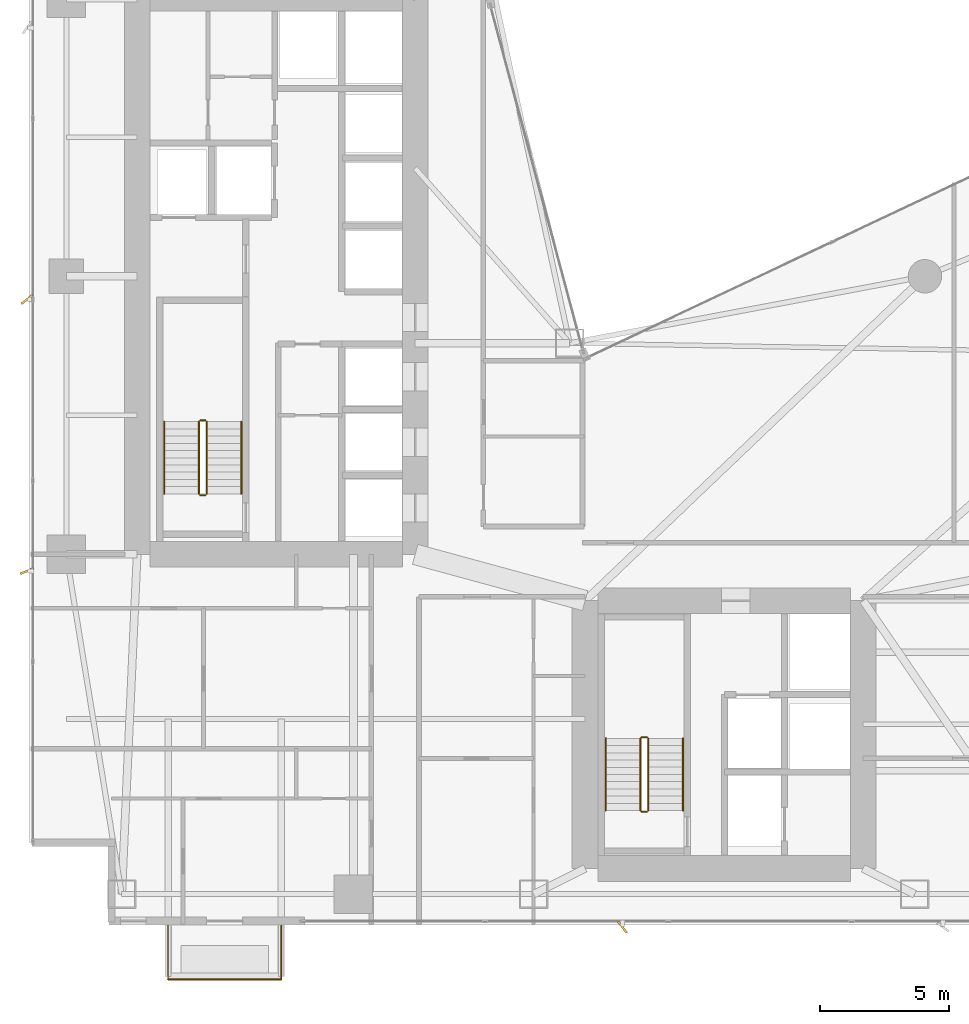
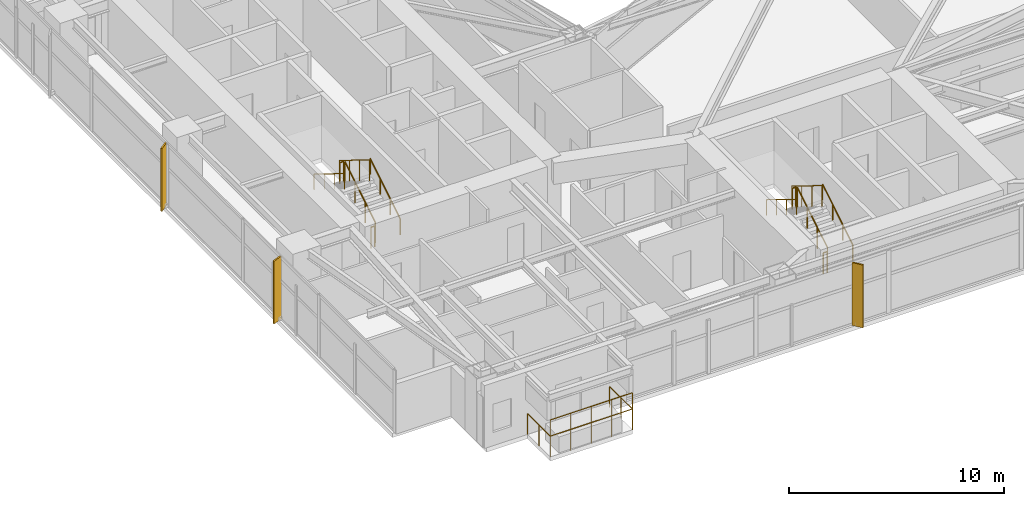
# One storey, part 28 of 29: 14 railings, 3 shading devices.
"""IFC4 building model written with IfcOpenShell, lengths in metres."""

from ifc_helpers import new_model, si_unit, direction, frame, origin, origin_2d, place, context, subcontext, project, spatial, rectangle, circle, extrude, material, type_object, element, save


model = new_model("IFC4")

# Units and contexts
model_context = context("Model", 3, precision=1e-05, world=origin(), true_north=direction((0.0, 1.0)))
body_context = subcontext(model_context, "Body", "Model", "MODEL_VIEW")
ifc_project = project(units=[si_unit("LENGTHUNIT", "METRE"), si_unit("AREAUNIT", "SQUARE_METRE"), si_unit("VOLUMEUNIT", "CUBIC_METRE"), si_unit("PLANEANGLEUNIT", "RADIAN"), si_unit("MASSUNIT", "GRAM", prefix="KILO")], contexts=[model_context])

# Site, building, storey
site_placement = place(None, origin())
site = spatial("IfcSite", under=ifc_project, at=site_placement, CompositionType="ELEMENT")
building_placement = place(site_placement, origin())
building = spatial("IfcBuilding", under=site, at=building_placement, Name="Calvorn Quay Hotel", CompositionType="ELEMENT")
storey_placement = place(building_placement, frame((0.0, 0.0, 69.800048828125)))
storey = spatial("IfcBuildingStorey", under=building, at=storey_placement, Name="L16", CompositionType="ELEMENT", Elevation=69.800048828125)

# Railings
ifc_material_1 = material(Name="Pale Anodised Aluminium and Laminated Glass", Category="aluminium")
railing_type_1 = type_object("IfcRailingType", Name="RLG-BALUSTRADE-1200", PredefinedType="BALUSTRADE", material=ifc_material_1)
railing_1_placement = place(storey_placement, frame((5.39990234375, 2.389892578125, 0.0)))
element("IfcRailing", 1, at=railing_1_placement, inside=storey, type_object=railing_type_1, Name="Tree Balcony Perimeter Balustrade L16-BALC-S", PredefinedType="BALUSTRADE", context=body_context, shape_type="SweptSolid", body=[
    extrude(circle(Radius=0.02392578125, at=origin_2d()), frame((0.0, 0.0, 1.17578125), z_axis=(0.0, -1.0, 0.0), x_axis=(1.0, 0.0, 0.0)), (0.0, 0.0, 1.0), 2.099853515625),
    extrude(circle(Radius=0.02392578125, at=origin_2d()), frame((0.0, -2.099853515625, 1.17578125), z_axis=(1.0, 0.0, 0.0), x_axis=(0.0, 1.0, 0.0)), (0.0, 0.0, 1.0), 4.400146484375),
    extrude(circle(Radius=0.02392578125, at=origin_2d()), frame((4.400146484375, -2.099853515625, 1.17578125), z_axis=(0.0, 1.0, 0.0), x_axis=(-1.0, 0.0, 0.0)), (0.0, 0.0, 1.0), 2.099853515625),
    extrude(circle(Radius=0.02099609375, at=origin_2d()), origin(), (0.0, 0.0, 1.0), 1.15185546875),
    extrude(circle(Radius=0.02099609375, at=origin_2d()), frame((0.0, -1.0498046875, 0.0)), (0.0, 0.0, 1.0), 1.15185546875),
    extrude(circle(Radius=0.02099609375, at=origin_2d()), frame((0.0, -2.099853515625, 0.0)), (0.0, 0.0, 1.0), 1.15185546875),
    extrude(circle(Radius=0.02099609375, at=origin_2d()), frame((1.10009765625, -2.099853515625, 0.0)), (0.0, 0.0, 1.0), 1.15185546875),
    extrude(circle(Radius=0.02099609375, at=origin_2d()), frame((2.2001953125, -2.099853515625, 0.0)), (0.0, 0.0, 1.0), 1.15185546875),
    extrude(circle(Radius=0.02099609375, at=origin_2d()), frame((3.300048828125, -2.099853515625, 0.0)), (0.0, 0.0, 1.0), 1.15185546875),
    extrude(circle(Radius=0.02099609375, at=origin_2d()), frame((4.400146484375, -2.099853515625, 0.0)), (0.0, 0.0, 1.0), 1.15185546875),
    extrude(circle(Radius=0.02099609375, at=origin_2d()), frame((4.400146484375, -1.0498046875, 0.0)), (0.0, 0.0, 1.0), 1.15185546875),
    extrude(circle(Radius=0.02099609375, at=origin_2d()), frame((4.400146484375, 0.0, 0.0)), (0.0, 0.0, 1.0), 1.15185546875),
])
railing_2_placement = place(storey_placement, frame((5.39990234375, 0.2900390625, 0.89990234375)))
element("IfcRailing", 2, at=railing_2_placement, inside=storey, type_object=railing_type_1, Name="Planter Kerb High Safety Screen L16-BALC-S", PredefinedType="BALUSTRADE", context=body_context, shape_type="SweptSolid", body=[
    extrude(circle(Radius=0.02392578125, at=origin_2d()), frame((0.0, 0.0, 1.19580078125), z_axis=(1.0, 0.0, 0.0), x_axis=(0.0, 1.0, 0.0)), (0.0, 0.0, 1.0), 4.400146484375),
    extrude(circle(Radius=0.02099609375, at=origin_2d()), origin(), (0.0, 0.0, 1.0), 1.171875),
    extrude(circle(Radius=0.02099609375, at=origin_2d()), frame((1.10009765625, 0.0, 0.0)), (0.0, 0.0, 1.0), 1.171875),
    extrude(circle(Radius=0.02099609375, at=origin_2d()), frame((2.2001953125, 0.0, 0.0)), (0.0, 0.0, 1.0), 1.171875),
    extrude(circle(Radius=0.02099609375, at=origin_2d()), frame((3.300048828125, 0.0, 0.0)), (0.0, 0.0, 1.0), 1.171875),
    extrude(circle(Radius=0.02099609375, at=origin_2d()), frame((4.400146484375, 0.0, 0.0)), (0.0, 0.0, 1.0), 1.171875),
])
ifc_material_2 = material(Name="Brushed Stainless Steel Handrail", Category="steel")
railing_type_2 = type_object("IfcRailingType", Name="RLG-HANDRAIL-900", PredefinedType="HANDRAIL", material=ifc_material_2)
railing_3_placement = place(storey_placement, frame((8.25, 19.14990234375, 0.172607421875)))
element("IfcRailing", 3, at=railing_3_placement, inside=storey, type_object=railing_type_2, Name="L16 ST-W stair handrail 1", PredefinedType="HANDRAIL", context=body_context, shape_type="SweptSolid", body=[
    extrude(circle(Radius=0.02392578125, at=origin_2d()), frame((0.0, 0.0, 0.8759765625), z_axis=(0.0, 0.851089632645, 0.525020415988), x_axis=(-1.0, 0.0, 0.0)), (0.0, 0.0, 1.0), 3.2900390625),
    extrude(circle(Radius=0.02099609375, at=origin_2d()), origin(), (0.0, 0.0, 1.0), 0.851806640625),
    extrude(circle(Radius=0.02099609375, at=origin_2d()), frame((0.0, 0.933349609375, 0.57568359375)), (0.0, 0.0, 1.0), 0.851806640625),
    extrude(circle(Radius=0.02099609375, at=origin_2d()), frame((0.0, 1.86669921875, 1.151611328125)), (0.0, 0.0, 1.0), 0.851806640625),
    extrude(circle(Radius=0.02099609375, at=origin_2d()), frame((0.0, 2.800048828125, 1.727294921875)), (0.0, 0.0, 1.0), 0.851806640625),
])
railing_4_placement = place(storey_placement, frame((5.25, 21.949951171875, 2.07275390625)))
element("IfcRailing", 4, at=railing_4_placement, inside=storey, type_object=railing_type_2, Name="L16 ST-W stair handrail 2", PredefinedType="HANDRAIL", context=body_context, shape_type="SweptSolid", body=[
    extrude(circle(Radius=0.02392578125, at=origin_2d()), frame((0.0, 0.0, 0.8759765625), z_axis=(0.0, -0.851089632645, 0.525020415988), x_axis=(1.0, 0.0, 0.0)), (0.0, 0.0, 1.0), 3.2900390625),
    extrude(circle(Radius=0.02099609375, at=origin_2d()), origin(), (0.0, 0.0, 1.0), 0.851806640625),
    extrude(circle(Radius=0.02099609375, at=origin_2d()), frame((0.0, -0.933349609375, 0.57568359375)), (0.0, 0.0, 1.0), 0.851806640625),
    extrude(circle(Radius=0.02099609375, at=origin_2d()), frame((0.0, -1.86669921875, 1.151611328125)), (0.0, 0.0, 1.0), 0.851806640625),
    extrude(circle(Radius=0.02099609375, at=origin_2d()), frame((0.0, -2.800048828125, 1.727294921875)), (0.0, 0.0, 1.0), 0.851806640625),
])
railing_5_placement = place(storey_placement, frame((25.39990234375, 6.85009765625, 0.172607421875)))
element("IfcRailing", 5, at=railing_5_placement, inside=storey, type_object=railing_type_2, Name="L16 ST-E stair handrail 1", PredefinedType="HANDRAIL", context=body_context, shape_type="SweptSolid", body=[
    extrude(circle(Radius=0.02392578125, at=origin_2d()), frame((0.0, 0.0, 0.8759765625), z_axis=(0.0, 0.851069175582, 0.525053576669), x_axis=(-1.0, 0.0, 0.0)), (0.0, 0.0, 1.0), 3.289794921875),
    extrude(circle(Radius=0.02099609375, at=origin_2d()), origin(), (0.0, 0.0, 1.0), 0.851806640625),
    extrude(circle(Radius=0.02099609375, at=origin_2d()), frame((0.0, 0.933349609375, 0.57568359375)), (0.0, 0.0, 1.0), 0.851806640625),
    extrude(circle(Radius=0.02099609375, at=origin_2d()), frame((0.0, 1.866455078125, 1.151611328125)), (0.0, 0.0, 1.0), 0.851806640625),
    extrude(circle(Radius=0.02099609375, at=origin_2d()), frame((0.0, 2.7998046875, 1.727294921875)), (0.0, 0.0, 1.0), 0.851806640625),
])
railing_6_placement = place(storey_placement, frame((22.39990234375, 9.64990234375, 2.07275390625)))
element("IfcRailing", 6, at=railing_6_placement, inside=storey, type_object=railing_type_2, Name="L16 ST-E stair handrail 2", PredefinedType="HANDRAIL", context=body_context, shape_type="SweptSolid", body=[
    extrude(circle(Radius=0.02392578125, at=origin_2d()), frame((0.0, 0.0, 0.8759765625), z_axis=(0.0, -0.851069175582, 0.525053576669), x_axis=(1.0, 0.0, 0.0)), (0.0, 0.0, 1.0), 3.289794921875),
    extrude(circle(Radius=0.02099609375, at=origin_2d()), origin(), (0.0, 0.0, 1.0), 0.851806640625),
    extrude(circle(Radius=0.02099609375, at=origin_2d()), frame((0.0, -0.933349609375, 0.57568359375)), (0.0, 0.0, 1.0), 0.851806640625),
    extrude(circle(Radius=0.02099609375, at=origin_2d()), frame((0.0, -1.866455078125, 1.151611328125)), (0.0, 0.0, 1.0), 0.851806640625),
    extrude(circle(Radius=0.02099609375, at=origin_2d()), frame((0.0, -2.7998046875, 1.727294921875)), (0.0, 0.0, 1.0), 0.851806640625),
])
ifc_material_3 = material(Name="Painted Galvanised Steel Balustrade", Category="steel")
railing_type_3 = type_object("IfcRailingType", Name="RLG-STAIR-GUARD-1120", PredefinedType="GUARDRAIL", material=ifc_material_3)
railing_7_placement = place(storey_placement, frame((6.89990234375, 19.14990234375, 0.172607421875)))
element("IfcRailing", 7, at=railing_7_placement, inside=storey, type_object=railing_type_3, Name="L16 ST-W stair guard 1", PredefinedType="GUARDRAIL", context=body_context, shape_type="SweptSolid", body=[
    extrude(circle(Radius=0.02392578125, at=origin_2d()), frame((0.0, 0.0, 1.17578125), z_axis=(0.0, 0.851089632645, 0.525020415988), x_axis=(-1.0, 0.0, 0.0)), (0.0, 0.0, 1.0), 3.2900390625),
    extrude(circle(Radius=0.02099609375, at=origin_2d()), origin(), (0.0, 0.0, 1.0), 1.15185546875),
    extrude(circle(Radius=0.02099609375, at=origin_2d()), frame((0.0, 0.933349609375, 0.57568359375)), (0.0, 0.0, 1.0), 1.15185546875),
    extrude(circle(Radius=0.02099609375, at=origin_2d()), frame((0.0, 1.86669921875, 1.151611328125)), (0.0, 0.0, 1.0), 1.15185546875),
    extrude(circle(Radius=0.02099609375, at=origin_2d()), frame((0.0, 2.800048828125, 1.727294921875)), (0.0, 0.0, 1.0), 1.15185546875),
])
railing_8_placement = place(storey_placement, frame((6.85009765625, 22.0, 1.89990234375)))
element("IfcRailing", 8, at=railing_8_placement, inside=storey, type_object=railing_type_3, Name="L16 ST-W stair guard 2", PredefinedType="GUARDRAIL", context=body_context, shape_type="SweptSolid", body=[
    extrude(circle(Radius=0.02392578125, at=origin_2d()), frame((0.0, 0.0, 1.17578125), z_axis=(-1.0, 0.0, 0.0), x_axis=(0.0, -1.0, 0.0)), (0.0, 0.0, 1.0), 0.2001953125),
    extrude(circle(Radius=0.02099609375, at=origin_2d()), origin(), (0.0, 0.0, 1.0), 1.15185546875),
    extrude(circle(Radius=0.02099609375, at=origin_2d()), frame((-0.2001953125, 0.0, 0.0)), (0.0, 0.0, 1.0), 1.15185546875),
])
railing_9_placement = place(storey_placement, frame((6.60009765625, 21.949951171875, 2.07275390625)))
element("IfcRailing", 9, at=railing_9_placement, inside=storey, type_object=railing_type_3, Name="L16 ST-W stair guard 3", PredefinedType="GUARDRAIL", context=body_context, shape_type="SweptSolid", body=[
    extrude(circle(Radius=0.02392578125, at=origin_2d()), frame((0.0, 0.0, 1.17578125), z_axis=(0.0, -0.851089632645, 0.525020415988), x_axis=(1.0, 0.0, 0.0)), (0.0, 0.0, 1.0), 3.2900390625),
    extrude(circle(Radius=0.02099609375, at=origin_2d()), origin(), (0.0, 0.0, 1.0), 1.15185546875),
    extrude(circle(Radius=0.02099609375, at=origin_2d()), frame((0.0, -0.933349609375, 0.57568359375)), (0.0, 0.0, 1.0), 1.15185546875),
    extrude(circle(Radius=0.02099609375, at=origin_2d()), frame((0.0, -1.86669921875, 1.151611328125)), (0.0, 0.0, 1.0), 1.15185546875),
    extrude(circle(Radius=0.02099609375, at=origin_2d()), frame((0.0, -2.800048828125, 1.727294921875)), (0.0, 0.0, 1.0), 1.15185546875),
])
railing_10_placement = place(storey_placement, frame((6.85009765625, 19.10009765625, 0.0)))
element("IfcRailing", 10, at=railing_10_placement, inside=storey, type_object=railing_type_3, Name="L16 ST-W stair guard 4", PredefinedType="GUARDRAIL", context=body_context, shape_type="SweptSolid", body=[
    extrude(circle(Radius=0.02392578125, at=origin_2d()), frame((0.0, 0.0, 1.17578125), z_axis=(-1.0, 0.0, 0.0), x_axis=(0.0, -1.0, 0.0)), (0.0, 0.0, 1.0), 0.2001953125),
    extrude(circle(Radius=0.02099609375, at=origin_2d()), origin(), (0.0, 0.0, 1.0), 1.15185546875),
    extrude(circle(Radius=0.02099609375, at=origin_2d()), frame((-0.2001953125, 0.0, 0.0)), (0.0, 0.0, 1.0), 1.15185546875),
])
railing_11_placement = place(storey_placement, frame((24.050048828125, 6.85009765625, 0.172607421875)))
element("IfcRailing", 11, at=railing_11_placement, inside=storey, type_object=railing_type_3, Name="L16 ST-E stair guard 1", PredefinedType="GUARDRAIL", context=body_context, shape_type="SweptSolid", body=[
    extrude(circle(Radius=0.02392578125, at=origin_2d()), frame((0.0, 0.0, 1.17578125), z_axis=(0.0, 0.851069175582, 0.525053576669), x_axis=(-1.0, 0.0, 0.0)), (0.0, 0.0, 1.0), 3.289794921875),
    extrude(circle(Radius=0.02099609375, at=origin_2d()), origin(), (0.0, 0.0, 1.0), 1.15185546875),
    extrude(circle(Radius=0.02099609375, at=origin_2d()), frame((0.0, 0.933349609375, 0.57568359375)), (0.0, 0.0, 1.0), 1.15185546875),
    extrude(circle(Radius=0.02099609375, at=origin_2d()), frame((0.0, 1.866455078125, 1.151611328125)), (0.0, 0.0, 1.0), 1.15185546875),
    extrude(circle(Radius=0.02099609375, at=origin_2d()), frame((0.0, 2.7998046875, 1.727294921875)), (0.0, 0.0, 1.0), 1.15185546875),
])
railing_12_placement = place(storey_placement, frame((24.0, 9.699951171875, 1.89990234375)))
element("IfcRailing", 12, at=railing_12_placement, inside=storey, type_object=railing_type_3, Name="L16 ST-E stair guard 2", PredefinedType="GUARDRAIL", context=body_context, shape_type="SweptSolid", body=[
    extrude(circle(Radius=0.02392578125, at=origin_2d()), frame((0.0, 0.0, 1.17578125), z_axis=(-1.0, 0.0, 0.0), x_axis=(0.0, -1.0, 0.0)), (0.0, 0.0, 1.0), 0.199951171875),
    extrude(circle(Radius=0.02099609375, at=origin_2d()), origin(), (0.0, 0.0, 1.0), 1.15185546875),
    extrude(circle(Radius=0.02099609375, at=origin_2d()), frame((-0.199951171875, 0.0, 0.0)), (0.0, 0.0, 1.0), 1.15185546875),
])
railing_13_placement = place(storey_placement, frame((23.75, 9.64990234375, 2.07275390625)))
element("IfcRailing", 13, at=railing_13_placement, inside=storey, type_object=railing_type_3, Name="L16 ST-E stair guard 3", PredefinedType="GUARDRAIL", context=body_context, shape_type="SweptSolid", body=[
    extrude(circle(Radius=0.02392578125, at=origin_2d()), frame((0.0, 0.0, 1.17578125), z_axis=(0.0, -0.851069175582, 0.525053576669), x_axis=(1.0, 0.0, 0.0)), (0.0, 0.0, 1.0), 3.289794921875),
    extrude(circle(Radius=0.02099609375, at=origin_2d()), origin(), (0.0, 0.0, 1.0), 1.15185546875),
    extrude(circle(Radius=0.02099609375, at=origin_2d()), frame((0.0, -0.933349609375, 0.57568359375)), (0.0, 0.0, 1.0), 1.15185546875),
    extrude(circle(Radius=0.02099609375, at=origin_2d()), frame((0.0, -1.866455078125, 1.151611328125)), (0.0, 0.0, 1.0), 1.15185546875),
    extrude(circle(Radius=0.02099609375, at=origin_2d()), frame((0.0, -2.7998046875, 1.727294921875)), (0.0, 0.0, 1.0), 1.15185546875),
])
railing_14_placement = place(storey_placement, frame((24.0, 6.800048828125, 0.0)))
element("IfcRailing", 14, at=railing_14_placement, inside=storey, type_object=railing_type_3, Name="L16 ST-E stair guard 4", PredefinedType="GUARDRAIL", context=body_context, shape_type="SweptSolid", body=[
    extrude(circle(Radius=0.02392578125, at=origin_2d()), frame((0.0, 0.0, 1.17578125), z_axis=(-1.0, 0.0, 0.0), x_axis=(0.0, -1.0, 0.0)), (0.0, 0.0, 1.0), 0.199951171875),
    extrude(circle(Radius=0.02099609375, at=origin_2d()), origin(), (0.0, 0.0, 1.0), 1.15185546875),
    extrude(circle(Radius=0.02099609375, at=origin_2d()), frame((-0.199951171875, 0.0, 0.0)), (0.0, 0.0, 1.0), 1.15185546875),
])

# Shading devices
ifc_material_4 = material(Name="Champagne Bronze Anodised Aluminium 6063-T6", Category="aluminium")
shading_device_type_1 = type_object("IfcShadingDeviceType", Name="SHD-FIN-A1", PredefinedType="USERDEFINED", material=ifc_material_4)
shading_device_placement = place(storey_placement, frame((-0.080078125, 16.14990234375, 0.0), z_axis=(0.0, 0.0, 1.0), x_axis=(0.927183854567, 0.374606593416, 0.0)))
element("IfcShadingDevice", 15, at=shading_device_placement, inside=storey, type_object=shading_device_type_1, Name="Diagonal Sun-Shading Fin L16-W01", ObjectType="FIN", PredefinedType="USERDEFINED", context=body_context, shape_type="SweptSolid", body=[
    extrude(rectangle(XDim=0.550048828125, YDim=0.080078125, at=origin_2d()), origin(), (0.0, 0.0, 1.0), 3.56005859375),
])
ifc_material_5 = material(Name="Champagne Bronze Anodised Aluminium 6063-T6", Category="aluminium")
shading_device_type_2 = type_object("IfcShadingDeviceType", Name="SHD-FIN-A2", PredefinedType="USERDEFINED", material=ifc_material_5)
for number, where, z_axis, x_axis, name in (
    (16, (-0.080078125, 26.699951171875, 0.0), (0.0, 0.0, 1.0), (0.788010753607, 0.615661475326, 0.0), "Diagonal Sun-Shading Fin L16-W02"),
    (17, (23.050048828125, 2.320068359375, 0.0), (0.0, 0.0, 1.0), (-0.615661475326, 0.788010753607, 0.0), "Diagonal Sun-Shading Fin L16-S01"),
):
    element("IfcShadingDevice", number, at=place(storey_placement, frame(where, z_axis=z_axis, x_axis=x_axis)), inside=storey, type_object=shading_device_type_2, Name=name, ObjectType="FIN", PredefinedType="USERDEFINED", context=body_context, shape_type="SweptSolid", body=[
        extrude(rectangle(XDim=0.550048828125, YDim=0.080078125, at=origin_2d()), origin(), (0.0, 0.0, 1.0), 3.56005859375),
    ])

save(model, "model.ifc")
